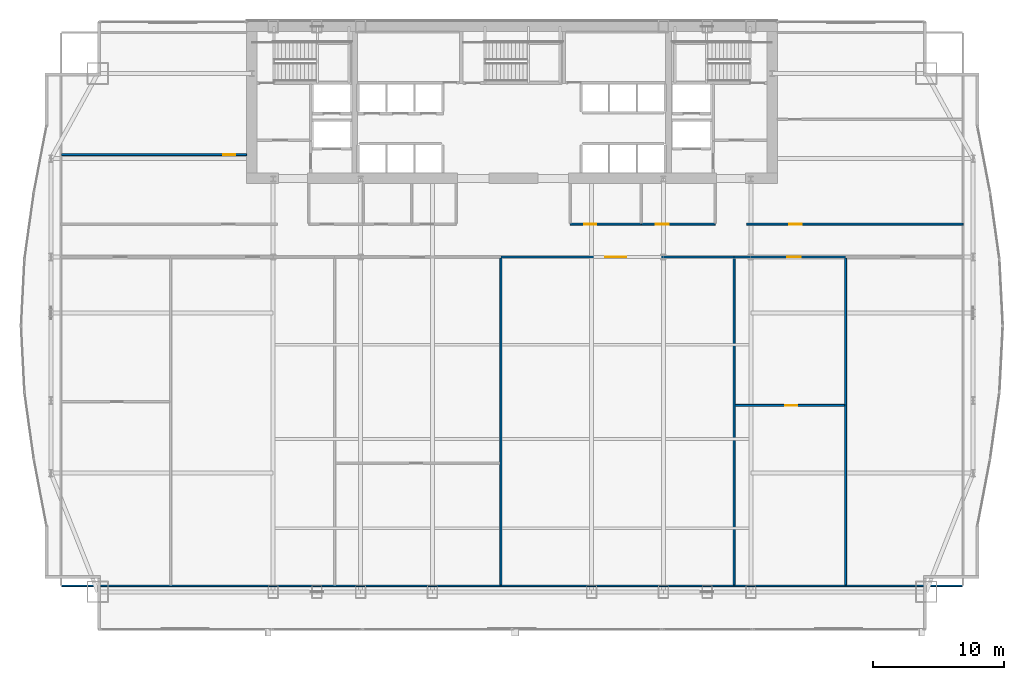
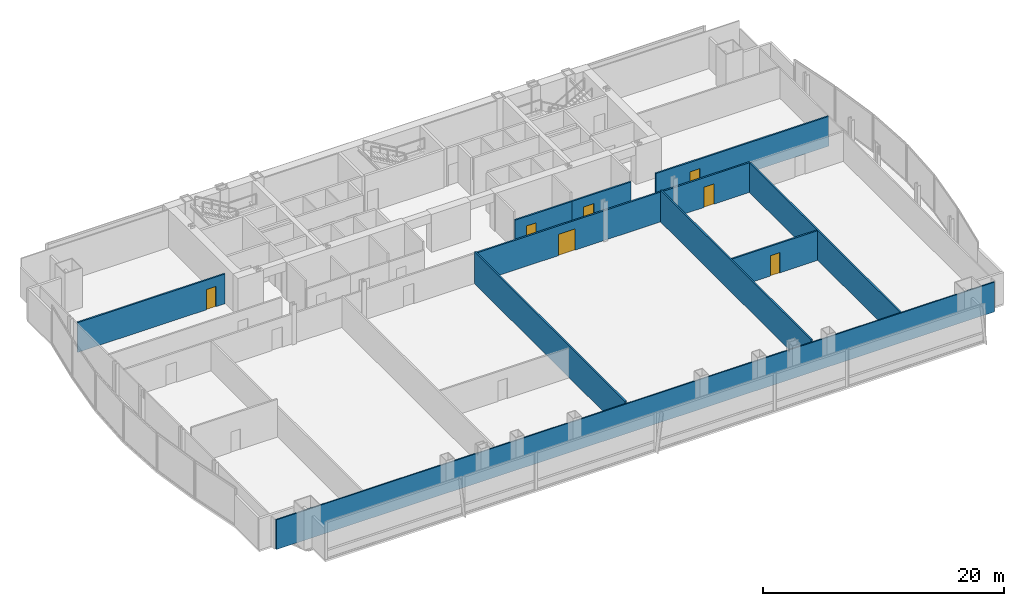
# One storey, part 31 of 37: 11 walls, 7 doors, 7 openings.
"""IFC4 building model written with IfcOpenShell, lengths in metres."""

from ifc_helpers import new_model, si_unit, direction, frame, frame_2d, origin, place, context, subcontext, project, spatial, rectangle, extrude, material, layer, layer_set, type_object, element, fill, save


model = new_model("IFC4")

# Units and contexts
model_context = context("Model", 3, precision=1e-05, world=origin(), true_north=direction((0.0, 1.0)))
body_context = subcontext(model_context, "Body", "Model", "MODEL_VIEW")
ifc_project = project(units=[si_unit("LENGTHUNIT", "METRE"), si_unit("AREAUNIT", "SQUARE_METRE"), si_unit("VOLUMEUNIT", "CUBIC_METRE"), si_unit("PLANEANGLEUNIT", "RADIAN"), si_unit("MASSUNIT", "GRAM", prefix="KILO")], contexts=[model_context])

# Site, building, storey
site_placement = place(None, origin())
site = spatial("IfcSite", under=ifc_project, at=site_placement, CompositionType="ELEMENT")
building_placement = place(site_placement, origin())
building = spatial("IfcBuilding", under=site, at=building_placement, Name="Khoronbel Lancet Exchange", CompositionType="ELEMENT")
storey_placement = place(building_placement, frame((0.0, 0.0, 45.800048828125)))
storey = spatial("IfcBuildingStorey", under=building, at=storey_placement, Name="L10", CompositionType="ELEMENT", Elevation=45.800048828125)

# Wall, opening, door
ifc_material_1 = material(Name="Acoustic Metal-Stud & Mineral-Wool Gypsum Partition 120 mm", Category="gypsum")
ifc_layer_1 = layer(ifc_material_1, 0.1201171875, Name="Acoustic Metal-Stud & Mineral-Wool Gypsum Partition 120 mm")
ifc_layer_set_1 = layer_set([ifc_layer_1], Name="Acoustic Metal-Stud & Mineral-Wool Gypsum Partition 120 mm")
wall_type_1 = type_object("IfcWallType", Name="WL-PRT120", PredefinedType="PARTITIONING", material=ifc_layer_set_1)
wall_1_placement = place(storey_placement, frame((2.094970703125, 43.5, 0.0), z_axis=(0.0, 0.0, 1.0), x_axis=(1.0, 0.0, 0.0)))
wall_1 = element("IfcWall", 1, at=wall_1_placement, inside=storey, type_object=wall_type_1, Name="Level L10 interior partition PW-NW-H", PredefinedType="PARTITIONING", context=body_context, shape_type="SweptSolid", body=[
    extrude(rectangle(XDim=14.10498046875, YDim=0.14990234375, at=frame_2d((7.052490234375, 0.0))), origin(), (0.0, 0.0, 1.0), 3.010009765625),
])
opening_1_placement = place(wall_1_placement, frame((12.320068359375, 0.0, 0.0)))
opening_1 = element("IfcOpeningElement", 2, at=opening_1_placement, cuts=wall_1, Name="Opening D5", PredefinedType="OPENING", context=body_context, shape_type="SweptSolid", body=[
    extrude(rectangle(XDim=0.89990234375, YDim=2.050048828125, at=frame_2d((0.449951171875, 1.02490234375))), frame((0.0, 0.0849609375, 0.0), z_axis=(0.0, -1.0, 0.0), x_axis=(1.0, 0.0, 0.0)), (0.0, 0.0, 1.0), 0.169921875),
])
ifc_material_2 = material(Name="Acoustic Timber Pantry & Support Door", Category="wood")
door_type_1 = type_object("IfcDoorType", Name="DR-D5", OperationType="NOTDEFINED", PredefinedType="DOOR", material=ifc_material_2)
door_1_placement = place(opening_1_placement, origin())
door_1 = element("IfcDoor", 3, at=door_1_placement, inside=storey, type_object=door_type_1, Name="NW north room door L10-1", OperationType="SINGLE_SWING_LEFT", OverallHeight=2.050048828125, OverallWidth=0.89990234375, PredefinedType="DOOR", context=body_context, shape_type="SweptSolid", body=[
    extrude(rectangle(XDim=0.89990234375, YDim=2.050048828125, at=frame_2d((0.449951171875, 1.02490234375))), frame((0.0, 0.02490234375, 0.0), z_axis=(0.0, -1.0, 0.0), x_axis=(1.0, 0.0, 0.0)), (0.0, 0.0, 1.0), 0.050048828125),
])
fill(opening_1, door_1)

wall_2_placement = place(storey_placement, frame((53.472412109375, 24.369384765625, 0.0), z_axis=(0.0, 0.0, 1.0), x_axis=(1.0, 0.0, 0.0)))
wall_2 = element("IfcWall", 4, at=wall_2_placement, inside=storey, type_object=wall_type_1, Name="Level L10 interior partition PW-Z1S-H5", PredefinedType="PARTITIONING", context=body_context, shape_type="SweptSolid", body=[
    extrude(rectangle(XDim=8.349365234375, YDim=0.14990234375, at=frame_2d((4.1748046875, 0.0))), origin(), (0.0, 0.0, 1.0), 3.010009765625),
])
opening_2_placement = place(wall_2_placement, frame((3.829345703125, 0.0, 0.0)))
opening_2 = element("IfcOpeningElement", 5, at=opening_2_placement, cuts=wall_2, Name="Opening D5", PredefinedType="OPENING", context=body_context, shape_type="SweptSolid", body=[
    extrude(rectangle(XDim=0.89990234375, YDim=2.050048828125, at=frame_2d((0.449951171875, 1.02490234375))), frame((0.0, 0.0849609375, 0.0), z_axis=(0.0, -1.0, 0.0), x_axis=(1.0, 0.0, 0.0)), (0.0, 0.0, 1.0), 0.169921875),
])
door_2_placement = place(opening_2_placement, origin())
door_2 = element("IfcDoor", 6, at=door_2_placement, inside=storey, type_object=door_type_1, Name="Z1S inner door 5 L10-1", OperationType="SINGLE_SWING_LEFT", OverallHeight=2.050048828125, OverallWidth=0.89990234375, PredefinedType="DOOR", context=body_context, shape_type="SweptSolid", body=[
    extrude(rectangle(XDim=0.89990234375, YDim=2.050048828125, at=frame_2d((0.449951171875, 1.02490234375))), frame((0.0, 0.02490234375, 0.0), z_axis=(0.0, -1.0, 0.0), x_axis=(1.0, 0.0, 0.0)), (0.0, 0.0, 1.0), 0.050048828125),
])
fill(opening_2, door_2)

# Wall
wall_3_placement = place(storey_placement, frame((2.094970703125, 10.60009765625, 0.0), z_axis=(0.0, 0.0, 1.0), x_axis=(1.0, 0.0, 0.0)))
element("IfcWall", 7, at=wall_3_placement, inside=storey, type_object=wall_type_1, Name="Level L10 interior partition PW-LIN-S", PredefinedType="PARTITIONING", context=body_context, shape_type="SweptSolid", body=[
    extrude(rectangle(XDim=68.7099609375, YDim=0.1201171875, at=frame_2d((34.35498046875, 0.0))), origin(), (0.0, 0.0, 1.0), 3.010009765625),
])

# Wall, opening, door
ifc_material_3 = material(Name="Fire-Rated Twin-Stud Acoustic Gypsum Partition 150 mm", Category="gypsum")
ifc_layer_2 = layer(ifc_material_3, 0.14990234375, Name="Fire-Rated Twin-Stud Acoustic Gypsum Partition 150 mm")
ifc_layer_set_2 = layer_set([ifc_layer_2], Name="Fire-Rated Twin-Stud Acoustic Gypsum Partition 150 mm")
wall_type_2 = type_object("IfcWallType", Name="WL-PRT150C", PredefinedType="PARTITIONING", material=ifc_layer_set_2)
wall_4_placement = place(storey_placement, frame((40.8798828125, 38.199951171875, 0.0), z_axis=(0.0, 0.0, 1.0), x_axis=(1.0, 0.0, 0.0)))
wall_4 = element("IfcWall", 8, at=wall_4_placement, inside=storey, type_object=wall_type_2, Name="Level L10 interior partition PW-NP-S1", PredefinedType="PARTITIONING", context=body_context, shape_type="SweptSolid", body=[
    extrude(rectangle(XDim=5.420166015625, YDim=0.14990234375, at=frame_2d((2.7099609375, 0.0))), origin(), (0.0, 0.0, 1.0), 3.010009765625),
])
opening_3_placement = place(wall_4_placement, frame((1.10009765625, 0.0, 0.0)))
opening_3 = element("IfcOpeningElement", 9, at=opening_3_placement, cuts=wall_4, Name="Opening D5", PredefinedType="OPENING", context=body_context, shape_type="SweptSolid", body=[
    extrude(rectangle(XDim=0.89990234375, YDim=2.050048828125, at=frame_2d((0.449951171875, 1.02490234375))), frame((0.0, 0.0849609375, 0.0), z_axis=(0.0, -1.0, 0.0), x_axis=(1.0, 0.0, 0.0)), (0.0, 0.0, 1.0), 0.169921875),
])
door_3_placement = place(opening_3_placement, origin())
door_3 = element("IfcDoor", 10, at=door_3_placement, inside=storey, type_object=door_type_1, Name="Floor refreshment pantry door L10-1", OperationType="SINGLE_SWING_LEFT", OverallHeight=2.050048828125, OverallWidth=0.89990234375, PredefinedType="DOOR", context=body_context, shape_type="SweptSolid", body=[
    extrude(rectangle(XDim=0.89990234375, YDim=2.050048828125, at=frame_2d((0.449951171875, 1.02490234375))), frame((0.0, 0.02490234375, 0.0), z_axis=(0.0, -1.0, 0.0), x_axis=(1.0, 0.0, 0.0)), (0.0, 0.0, 1.0), 0.050048828125),
])
fill(opening_3, door_3)

wall_5_placement = place(storey_placement, frame((46.300048828125, 38.199951171875, 0.0), z_axis=(0.0, 0.0, 1.0), x_axis=(1.0, 0.0, 0.0)))
wall_5 = element("IfcWall", 11, at=wall_5_placement, inside=storey, type_object=wall_type_2, Name="Level L10 interior partition PW-NP-S2", PredefinedType="PARTITIONING", context=body_context, shape_type="SweptSolid", body=[
    extrude(rectangle(XDim=5.64990234375, YDim=0.14990234375, at=frame_2d((2.824951171875, 0.0))), origin(), (0.0, 0.0, 1.0), 3.010009765625),
])
opening_4_placement = place(wall_5_placement, frame((1.10009765625, 0.0, 0.0)))
opening_4 = element("IfcOpeningElement", 12, at=opening_4_placement, cuts=wall_5, Name="Opening D2", PredefinedType="OPENING", context=body_context, shape_type="SweptSolid", body=[
    extrude(rectangle(XDim=1.0, YDim=2.050048828125, at=frame_2d((0.5, 1.02490234375))), frame((0.0, 0.0849609375, 0.0), z_axis=(0.0, -1.0, 0.0), x_axis=(1.0, 0.0, 0.0)), (0.0, 0.0, 1.0), 0.169921875),
])
ifc_material_4 = material(Name="Acoustic Veneered Timber & Bronze Frame Door", Category="wood")
door_type_2 = type_object("IfcDoorType", Name="DR-D2", OperationType="NOTDEFINED", PredefinedType="DOOR", material=ifc_material_4)
door_4_placement = place(opening_4_placement, origin())
door_4 = element("IfcDoor", 13, at=door_4_placement, inside=storey, type_object=door_type_2, Name="Floor store door L10-1", OperationType="SINGLE_SWING_RIGHT", OverallHeight=2.050048828125, OverallWidth=1.0, PredefinedType="DOOR", context=body_context, shape_type="SweptSolid", body=[
    extrude(rectangle(XDim=1.0, YDim=2.050048828125, at=frame_2d((0.5, 1.02490234375))), frame((0.0, 0.02490234375, 0.0), z_axis=(0.0, -1.0, 0.0), x_axis=(1.0, 0.0, 0.0)), (0.0, 0.0, 1.0), 0.050048828125),
])
fill(opening_4, door_4)

wall_6_placement = place(storey_placement, frame((54.35009765625, 38.199951171875, 0.0), z_axis=(0.0, 0.0, 1.0), x_axis=(1.0, 0.0, 0.0)))
wall_6 = element("IfcWall", 14, at=wall_6_placement, inside=storey, type_object=wall_type_2, Name="Level L10 interior partition PW-NE-S", PredefinedType="PARTITIONING", context=body_context, shape_type="SweptSolid", body=[
    extrude(rectangle(XDim=16.52001953125, YDim=0.14990234375, at=frame_2d((8.260009765625, 0.0))), origin(), (0.0, 0.0, 1.0), 3.010009765625),
])
opening_5_placement = place(wall_6_placement, frame((3.25, 0.0, 0.0)))
opening_5 = element("IfcOpeningElement", 15, at=opening_5_placement, cuts=wall_6, Name="Opening D1", PredefinedType="OPENING", context=body_context, shape_type="SweptSolid", body=[
    extrude(rectangle(XDim=0.949951171875, YDim=2.050048828125, at=frame_2d((0.47509765625, 1.02490234375))), frame((0.0, 0.0849609375, 0.0), z_axis=(0.0, -1.0, 0.0), x_axis=(1.0, 0.0, 0.0)), (0.0, 0.0, 1.0), 0.169921875),
])
door_type_3 = type_object("IfcDoorType", Name="DR-D1", OperationType="NOTDEFINED", PredefinedType="DOOR", material=ifc_material_4)
door_5_placement = place(opening_5_placement, origin())
door_5 = element("IfcDoor", 16, at=door_5_placement, inside=storey, type_object=door_type_3, Name="NE corner room door L10-1", OperationType="SINGLE_SWING_RIGHT", OverallHeight=2.050048828125, OverallWidth=0.949951171875, PredefinedType="DOOR", context=body_context, shape_type="SweptSolid", body=[
    extrude(rectangle(XDim=0.949951171875, YDim=2.050048828125, at=frame_2d((0.47509765625, 1.02490234375))), frame((0.0, 0.02490234375, 0.0), z_axis=(0.0, -1.0, 0.0), x_axis=(1.0, 0.0, 0.0)), (0.0, 0.0, 1.0), 0.050048828125),
])
fill(opening_5, door_5)

# Walls
for number, where, z_axis, x_axis, name in (
    (17, (35.594970703125, 10.6650390625, 0.0), (0.0, 0.0, 1.0), (0.0, 1.0, 0.0), "Level L10 interior partition PW-Z1S-V3"),
    (18, (53.392333984375, 10.6650390625, 0.0), (0.0, 0.0, 1.0), (0.0, 1.0, 0.0), "Level L10 interior partition PW-Z1S-V4"),
):
    element("IfcWall", number, at=place(storey_placement, frame(where, z_axis=z_axis, x_axis=x_axis)), inside=storey, type_object=wall_type_2, Name=name, PredefinedType="PARTITIONING", context=body_context, shape_type="SweptSolid", body=[
        extrude(rectangle(XDim=24.949951171875, YDim=0.14990234375, at=frame_2d((12.47509765625, 0.0))), origin(), (0.0, 0.0, 1.0), 3.2099609375),
    ])
wall_7_placement = place(storey_placement, frame((61.90185546875, 10.6650390625, 0.0), z_axis=(0.0, 0.0, 1.0), x_axis=(0.0, 1.0, 0.0)))
element("IfcWall", 19, at=wall_7_placement, inside=storey, type_object=wall_type_2, Name="Level L10 interior partition PW-Z1S-V5", PredefinedType="PARTITIONING", context=body_context, shape_type="SweptSolid", body=[
    extrude(rectangle(XDim=24.949951171875, YDim=0.14990234375, at=frame_2d((12.47509765625, 0.0))), origin(), (0.0, 0.0, 1.0), 3.010009765625),
])

# Wall, opening, door
ifc_material_5 = material(Name="Fire-Rated Twin-Stud Acoustic Gypsum Partition 160 mm", Category="gypsum")
ifc_layer_3 = layer(ifc_material_5, 0.159912109375, Name="Fire-Rated Twin-Stud Acoustic Gypsum Partition 160 mm")
ifc_layer_set_3 = layer_set([ifc_layer_3], Name="Fire-Rated Twin-Stud Acoustic Gypsum Partition 160 mm")
wall_type_3 = type_object("IfcWallType", Name="WL-PRT160C", PredefinedType="PARTITIONING", material=ifc_layer_set_3)
wall_8_placement = place(storey_placement, frame((35.594970703125, 35.699951171875, 0.0), z_axis=(0.0, 0.0, 1.0), x_axis=(1.0, 0.0, 0.0)))
wall_8 = element("IfcWall", 20, at=wall_8_placement, inside=storey, type_object=wall_type_3, Name="Level L10 interior partition PW-Z1S-COR4", PredefinedType="PARTITIONING", context=body_context, shape_type="SweptSolid", body=[
    extrude(rectangle(XDim=17.79736328125, YDim=0.159912109375, at=frame_2d((8.898681640625, 0.0))), origin(), (0.0, 0.0, 1.0), 3.010009765625),
])
opening_6_placement = place(wall_8_placement, frame((7.974853515625, 0.0, 0.0)))
opening_6 = element("IfcOpeningElement", 21, at=opening_6_placement, cuts=wall_8, Name="Opening D3", PredefinedType="OPENING", context=body_context, shape_type="SweptSolid", body=[
    extrude(rectangle(XDim=1.60009765625, YDim=2.14990234375, at=frame_2d((0.800048828125, 1.074951171875))), frame((0.0, 0.08984375, 0.0), z_axis=(0.0, -1.0, 0.0), x_axis=(1.0, 0.0, 0.0)), (0.0, 0.0, 1.0), 0.179931640625),
])
ifc_material_6 = material(Name="Glazed Bronze-Framed Double Suite Door", Category="aluminium")
door_type_4 = type_object("IfcDoorType", Name="DR-D3", OperationType="NOTDEFINED", PredefinedType="DOOR", material=ifc_material_6)
door_6_placement = place(opening_6_placement, origin())
door_6 = element("IfcDoor", 22, at=door_6_placement, inside=storey, type_object=door_type_4, Name="Z1S bay 4 door L10-1", OperationType="DOUBLE_DOOR_SINGLE_SWING", OverallHeight=2.14990234375, OverallWidth=1.60009765625, PredefinedType="DOOR", context=body_context, shape_type="SweptSolid", body=[
    extrude(rectangle(XDim=1.60009765625, YDim=2.14990234375, at=frame_2d((0.800048828125, 1.074951171875))), frame((0.0, 0.02490234375, 0.0), z_axis=(0.0, -1.0, 0.0), x_axis=(1.0, 0.0, 0.0)), (0.0, 0.0, 1.0), 0.050048828125),
])
fill(opening_6, door_6)

wall_9_placement = place(storey_placement, frame((53.392333984375, 35.699951171875, 0.0), z_axis=(0.0, 0.0, 1.0), x_axis=(1.0, 0.0, 0.0)))
wall_9 = element("IfcWall", 23, at=wall_9_placement, inside=storey, type_object=wall_type_3, Name="Level L10 interior partition PW-Z1S-COR5", PredefinedType="PARTITIONING", context=body_context, shape_type="SweptSolid", body=[
    extrude(rectangle(XDim=8.509521484375, YDim=0.159912109375, at=frame_2d((4.2548828125, 0.0))), origin(), (0.0, 0.0, 1.0), 3.010009765625),
])
opening_7_placement = place(wall_9_placement, frame((4.073974609375, 0.0, 0.0)))
opening_7 = element("IfcOpeningElement", 24, at=opening_7_placement, cuts=wall_9, Name="Opening D2", PredefinedType="OPENING", context=body_context, shape_type="SweptSolid", body=[
    extrude(rectangle(XDim=1.0, YDim=2.050048828125, at=frame_2d((0.5, 1.02490234375))), frame((0.0, 0.08984375, 0.0), z_axis=(0.0, -1.0, 0.0), x_axis=(1.0, 0.0, 0.0)), (0.0, 0.0, 1.0), 0.179931640625),
])
door_7_placement = place(opening_7_placement, origin())
door_7 = element("IfcDoor", 25, at=door_7_placement, inside=storey, type_object=door_type_2, Name="Z1S bay 5 door L10-1", OperationType="SINGLE_SWING_RIGHT", OverallHeight=2.050048828125, OverallWidth=1.0, PredefinedType="DOOR", context=body_context, shape_type="SweptSolid", body=[
    extrude(rectangle(XDim=1.0, YDim=2.050048828125, at=frame_2d((0.5, 1.02490234375))), frame((0.0, 0.02490234375, 0.0), z_axis=(0.0, -1.0, 0.0), x_axis=(1.0, 0.0, 0.0)), (0.0, 0.0, 1.0), 0.050048828125),
])
fill(opening_7, door_7)

save(model, "model.ifc")
